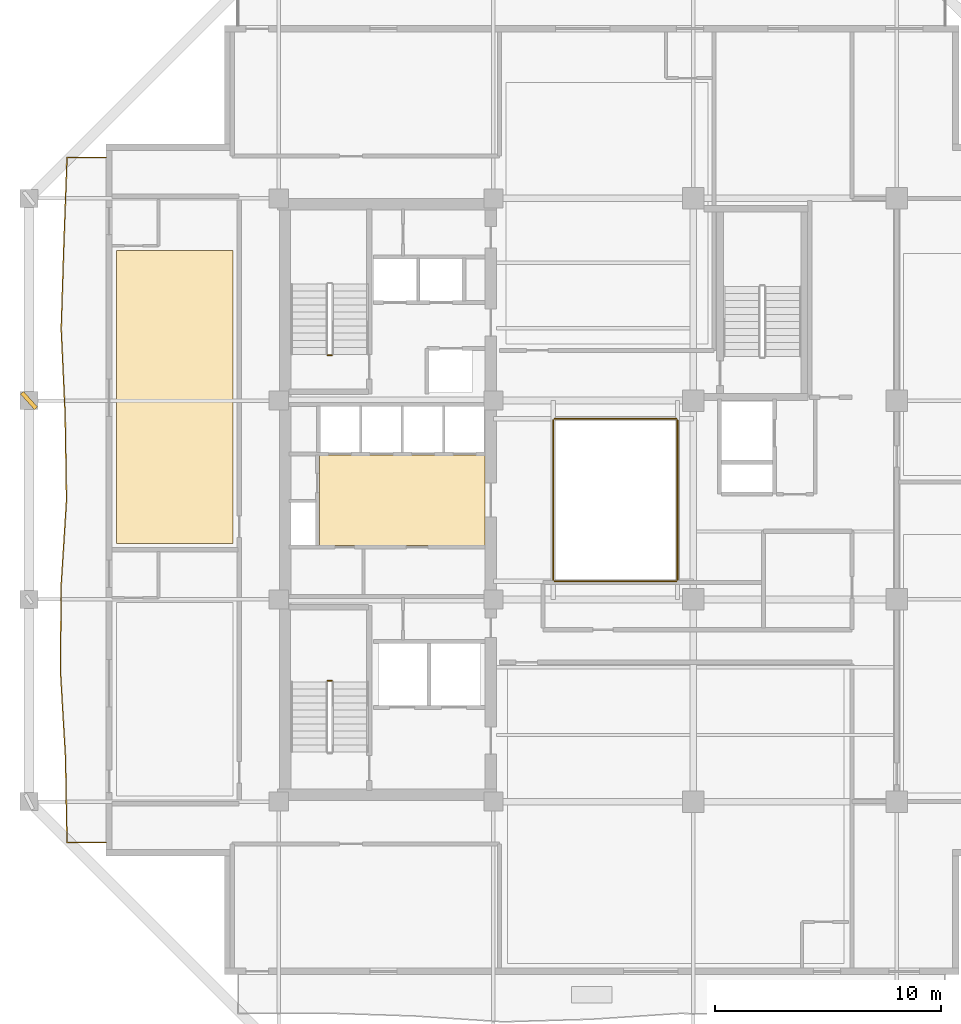
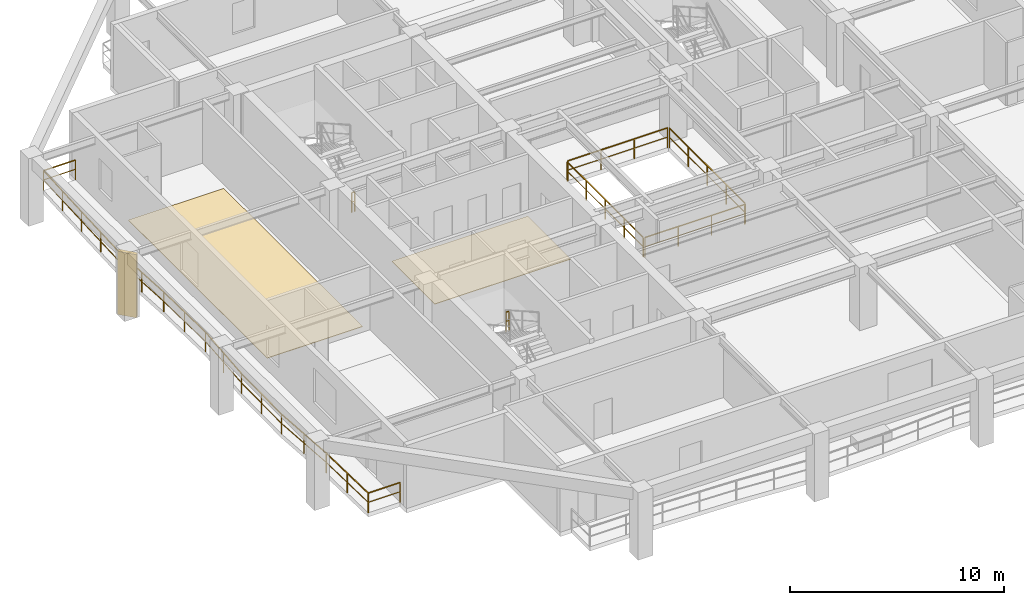
# One storey, part 9 of 12: 7 railings, 2 coverings, 1 shading device.
"""IFC4 building model written with IfcOpenShell, lengths in metres."""

from ifc_helpers import new_model, si_unit, direction, frame, origin, origin_2d, place, context, subcontext, project, spatial, polyline, rectangle, outline, extrude, material, layer, layer_set, type_object, element, save


model = new_model("IFC4")

# Units and contexts
model_context = context("Model", 3, precision=1e-05, world=origin(), true_north=direction((0.0, 1.0)))
body_context = subcontext(model_context, "Body", "Model", "MODEL_VIEW")
ifc_project = project(units=[si_unit("LENGTHUNIT", "METRE"), si_unit("AREAUNIT", "SQUARE_METRE"), si_unit("VOLUMEUNIT", "CUBIC_METRE"), si_unit("PLANEANGLEUNIT", "RADIAN"), si_unit("MASSUNIT", "GRAM", prefix="KILO")], contexts=[model_context])

# Site, building, storey
site_placement = place(None, origin())
site = spatial("IfcSite", under=ifc_project, at=site_placement, CompositionType="ELEMENT")
building_placement = place(site_placement, origin())
building = spatial("IfcBuilding", under=site, at=building_placement, Name="Kundavana Baori Tower", CompositionType="ELEMENT")
storey_placement = place(building_placement, frame((0.0, 0.0, 157.89990234375)))
storey = spatial("IfcBuildingStorey", under=building, at=storey_placement, Name="L38", CompositionType="ELEMENT", Elevation=157.89990234375)

# Coverings
ifc_material_1 = material(Name="Honed Kota Stone and Terrazzo Flooring", Category="masonry")
ifc_layer = layer(ifc_material_1, 0.030029296875, Name="COV-INT-FLR")
ifc_layer_set = layer_set([ifc_layer], Name="Honed Kota Stone and Terrazzo Flooring")
covering_type = type_object("IfcCoveringType", Name="COV-INT-FLR", PredefinedType="FLOORING", material=ifc_layer_set)
covering_1_placement = place(storey_placement, origin())
element("IfcCovering", 1, at=covering_1_placement, inside=storey, type_object=covering_type, Name="L38 Room Finished Stone Flooring 2", PredefinedType="FLOORING", context=body_context, shape_type="SweptSolid", body=[
    extrude(outline(polyline([(8.280029296875, 26.679931640625), (13.419921875, 26.679931640625), (13.419921875, 39.64990234375), (8.280029296875, 39.64990234375), (8.280029296875, 26.679931640625)])), origin(), (0.0, 0.0, 1.0), 0.030029296875),
])
covering_2_placement = place(storey_placement, origin())
element("IfcCovering", 2, at=covering_2_placement, inside=storey, type_object=covering_type, Name="L38 Core Lift Lobby Kota Stone Flooring", PredefinedType="FLOORING", context=body_context, shape_type="SweptSolid", body=[
    extrude(outline(polyline([(17.25, 26.580078125), (24.580078125, 26.580078125), (24.580078125, 30.60009765625), (17.25, 30.60009765625), (17.25, 26.580078125)])), origin(), (0.0, 0.0, 1.0), 0.030029296875),
])

# Railings
ifc_material_2 = material(Name="Architectural Patinated Bronze Metalwork")
railing_type_1 = type_object("IfcRailingType", Name="RL-BAL-1150", PredefinedType="BALUSTRADE", material=ifc_material_2)
railing_1_placement = place(storey_placement, frame((7.800048828125, 13.449951171875, 0.0)))
element("IfcRailing", 3, at=railing_1_placement, inside=storey, type_object=railing_type_1, Name="L38 Loggia Balcony Balustrade W", PredefinedType="BALUSTRADE", context=body_context, shape_type="SweptSolid", body=[
    extrude(rectangle(XDim=0.048095703125, YDim=0.048095703125, at=origin_2d()), frame((0.0, 0.0, 1.1259765625), z_axis=(-1.0, 0.0, 0.0), x_axis=(0.0, -1.0, 0.0)), (0.0, 0.0, 1.0), 1.719970703125),
    extrude(rectangle(XDim=0.03125, YDim=0.03125, at=origin_2d()), frame((0.0, 0.0, 0.597900390625), z_axis=(-1.0, 0.0, 0.0), x_axis=(0.0, -1.0, 0.0)), (0.0, 0.0, 1.0), 1.719970703125),
    extrude(rectangle(XDim=0.048095703125, YDim=0.048095703125, at=origin_2d()), frame((-1.719970703125, 0.0, 1.1259765625), z_axis=(-0.018751536142, 0.999824174489, 0.0), x_axis=(-0.999824174489, -0.018751536142, 0.0)), (0.0, 0.0, 1.0), 3.788818359375),
    extrude(rectangle(XDim=0.03125, YDim=0.03125, at=origin_2d()), frame((-1.719970703125, 0.0, 0.597900390625), z_axis=(-0.018751536142, 0.999824174489, 0.0), x_axis=(-0.999824174489, -0.018751536142, 0.0)), (0.0, 0.0, 1.0), 3.788818359375),
    extrude(rectangle(XDim=0.048095703125, YDim=0.048095703125, at=origin_2d()), frame((-1.791015625, 3.7880859375, 1.1259765625), z_axis=(-0.058503196703, 0.998287221182, 0.0), x_axis=(-0.998287221182, -0.058503196703, 0.0)), (0.0, 0.0, 1.0), 3.79345703125),
    extrude(rectangle(XDim=0.03125, YDim=0.03125, at=origin_2d()), frame((-1.791015625, 3.7880859375, 0.597900390625), z_axis=(-0.058503196703, 0.998287221182, 0.0), x_axis=(-0.998287221182, -0.058503196703, 0.0)), (0.0, 0.0, 1.0), 3.79345703125),
    extrude(rectangle(XDim=0.048095703125, YDim=0.048095703125, at=origin_2d()), frame((-2.012939453125, 7.574951171875, 1.1259765625), z_axis=(0.00818693552, 0.999966486482, 0.0), x_axis=(-0.999966486482, 0.00818693552, 0.0)), (0.0, 0.0, 1.0), 3.787353515625),
    extrude(rectangle(XDim=0.03125, YDim=0.03125, at=origin_2d()), frame((-2.012939453125, 7.574951171875, 0.597900390625), z_axis=(0.00818693552, 0.999966486482, 0.0), x_axis=(-0.999966486482, 0.00818693552, 0.0)), (0.0, 0.0, 1.0), 3.787353515625),
    extrude(rectangle(XDim=0.048095703125, YDim=0.048095703125, at=origin_2d()), frame((-1.98193359375, 11.362060546875, 1.1259765625), z_axis=(0.062650592836, 0.998035522022, 0.0), x_axis=(-0.998035522022, 0.062650592836, 0.0)), (0.0, 0.0, 1.0), 3.795654296875),
    extrude(rectangle(XDim=0.03125, YDim=0.03125, at=origin_2d()), frame((-1.98193359375, 11.362060546875, 0.597900390625), z_axis=(0.062650592836, 0.998035522022, 0.0), x_axis=(-0.998035522022, 0.062650592836, 0.0)), (0.0, 0.0, 1.0), 3.795654296875),
    extrude(rectangle(XDim=0.048095703125, YDim=0.048095703125, at=origin_2d()), frame((-1.744140625, 15.150146484375, 1.1259765625), z_axis=(-0.016046918385, 0.999871239916, 0.0), x_axis=(-0.999871239916, -0.016046918385, 0.0)), (0.0, 0.0, 1.0), 3.788330078125),
    extrude(rectangle(XDim=0.03125, YDim=0.03125, at=origin_2d()), frame((-1.744140625, 15.150146484375, 0.597900390625), z_axis=(-0.016046918385, 0.999871239916, 0.0), x_axis=(-0.999871239916, -0.016046918385, 0.0)), (0.0, 0.0, 1.0), 3.788330078125),
    extrude(rectangle(XDim=0.048095703125, YDim=0.048095703125, at=origin_2d()), frame((-1.804931640625, 18.93798828125, 1.1259765625), z_axis=(-0.046172981575, 0.998933459132, 0.0), x_axis=(-0.998933459132, -0.046172981575, 0.0)), (0.0, 0.0, 1.0), 3.791259765625),
    extrude(rectangle(XDim=0.03125, YDim=0.03125, at=origin_2d()), frame((-1.804931640625, 18.93798828125, 0.597900390625), z_axis=(-0.046172981575, 0.998933459132, 0.0), x_axis=(-0.998933459132, -0.046172981575, 0.0)), (0.0, 0.0, 1.0), 3.791259765625),
    extrude(rectangle(XDim=0.048095703125, YDim=0.048095703125, at=origin_2d()), frame((-1.97998046875, 22.72509765625, 1.1259765625), z_axis=(0.031639106753, 0.999499358141, 0.0), x_axis=(-0.999499358141, 0.031639106753, 0.0)), (0.0, 0.0, 1.0), 3.788818359375),
    extrude(rectangle(XDim=0.03125, YDim=0.03125, at=origin_2d()), frame((-1.97998046875, 22.72509765625, 0.597900390625), z_axis=(0.031639106753, 0.999499358141, 0.0), x_axis=(-0.999499358141, 0.031639106753, 0.0)), (0.0, 0.0, 1.0), 3.788818359375),
    extrude(rectangle(XDim=0.048095703125, YDim=0.048095703125, at=origin_2d()), frame((-1.860107421875, 26.511962890625, 1.1259765625), z_axis=(0.036968782264, 0.999316420929, 0.0), x_axis=(-0.999316420929, 0.036968782264, 0.0)), (0.0, 0.0, 1.0), 3.790771484375),
    extrude(rectangle(XDim=0.03125, YDim=0.03125, at=origin_2d()), frame((-1.860107421875, 26.511962890625, 0.597900390625), z_axis=(0.036968782264, 0.999316420929, 0.0), x_axis=(-0.999316420929, 0.036968782264, 0.0)), (0.0, 0.0, 1.0), 3.790771484375),
    extrude(rectangle(XDim=0.048095703125, YDim=0.048095703125, at=origin_2d()), frame((-1.719970703125, 30.300048828125, 1.1259765625), z_axis=(1.0, 0.0, 0.0), x_axis=(0.0, 1.0, 0.0)), (0.0, 0.0, 1.0), 1.719970703125),
    extrude(rectangle(XDim=0.03125, YDim=0.03125, at=origin_2d()), frame((-1.719970703125, 30.300048828125, 0.597900390625), z_axis=(1.0, 0.0, 0.0), x_axis=(0.0, 1.0, 0.0)), (0.0, 0.0, 1.0), 1.719970703125),
    extrude(rectangle(XDim=0.0419921875, YDim=0.0419921875, at=origin_2d()), origin(), (0.0, 0.0, 1.0), 1.101806640625),
    extrude(rectangle(XDim=0.0419921875, YDim=0.0419921875, at=origin_2d()), frame((-1.719970703125, 0.0, 0.0)), (0.0, 0.0, 1.0), 1.101806640625),
    extrude(rectangle(XDim=0.0419921875, YDim=0.0419921875, at=origin_2d()), frame((-1.75537109375, 1.89404296875, 0.0)), (0.0, 0.0, 1.0), 1.101806640625),
    extrude(rectangle(XDim=0.0419921875, YDim=0.0419921875, at=origin_2d()), frame((-1.791015625, 3.7880859375, 0.0)), (0.0, 0.0, 1.0), 1.101806640625),
    extrude(rectangle(XDim=0.0419921875, YDim=0.0419921875, at=origin_2d()), frame((-1.90185546875, 5.681640625, 0.0)), (0.0, 0.0, 1.0), 1.101806640625),
    extrude(rectangle(XDim=0.0419921875, YDim=0.0419921875, at=origin_2d()), frame((-2.012939453125, 7.574951171875, 0.0)), (0.0, 0.0, 1.0), 1.101806640625),
    extrude(rectangle(XDim=0.0419921875, YDim=0.0419921875, at=origin_2d()), frame((-1.99755859375, 9.468505859375, 0.0)), (0.0, 0.0, 1.0), 1.101806640625),
    extrude(rectangle(XDim=0.0419921875, YDim=0.0419921875, at=origin_2d()), frame((-1.98193359375, 11.362060546875, 0.0)), (0.0, 0.0, 1.0), 1.101806640625),
    extrude(rectangle(XDim=0.0419921875, YDim=0.0419921875, at=origin_2d()), frame((-1.863037109375, 13.256103515625, 0.0)), (0.0, 0.0, 1.0), 1.101806640625),
    extrude(rectangle(XDim=0.0419921875, YDim=0.0419921875, at=origin_2d()), frame((-1.744140625, 15.150146484375, 0.0)), (0.0, 0.0, 1.0), 1.101806640625),
    extrude(rectangle(XDim=0.0419921875, YDim=0.0419921875, at=origin_2d()), frame((-1.7744140625, 17.0439453125, 0.0)), (0.0, 0.0, 1.0), 1.101806640625),
    extrude(rectangle(XDim=0.0419921875, YDim=0.0419921875, at=origin_2d()), frame((-1.804931640625, 18.93798828125, 0.0)), (0.0, 0.0, 1.0), 1.101806640625),
    extrude(rectangle(XDim=0.0419921875, YDim=0.0419921875, at=origin_2d()), frame((-1.892578125, 20.83154296875, 0.0)), (0.0, 0.0, 1.0), 1.101806640625),
    extrude(rectangle(XDim=0.0419921875, YDim=0.0419921875, at=origin_2d()), frame((-1.97998046875, 22.72509765625, 0.0)), (0.0, 0.0, 1.0), 1.101806640625),
    extrude(rectangle(XDim=0.0419921875, YDim=0.0419921875, at=origin_2d()), frame((-1.919921875, 24.61865234375, 0.0)), (0.0, 0.0, 1.0), 1.101806640625),
    extrude(rectangle(XDim=0.0419921875, YDim=0.0419921875, at=origin_2d()), frame((-1.860107421875, 26.511962890625, 0.0)), (0.0, 0.0, 1.0), 1.101806640625),
    extrude(rectangle(XDim=0.0419921875, YDim=0.0419921875, at=origin_2d()), frame((-1.7900390625, 28.406005859375, 0.0)), (0.0, 0.0, 1.0), 1.101806640625),
    extrude(rectangle(XDim=0.0419921875, YDim=0.0419921875, at=origin_2d()), frame((-1.719970703125, 30.300048828125, 0.0)), (0.0, 0.0, 1.0), 1.101806640625),
    extrude(rectangle(XDim=0.0419921875, YDim=0.0419921875, at=origin_2d()), frame((0.0, 30.300048828125, 0.0)), (0.0, 0.0, 1.0), 1.101806640625),
])
ifc_material_3 = material(Name="Architectural Patinated Bronze Metalwork")
railing_type_2 = type_object("IfcRailingType", Name="RL-GRD-1150", PredefinedType="GUARDRAIL", material=ifc_material_3)
for number, where, name in (
    (4, (17.7900390625, 20.60009765625, 1.925048828125), "L38 ST1 stair guard 2"),
    (5, (17.7900390625, 35.0, 0.0), "L38 ST2 stair guard 4"),
):
    element("IfcRailing", number, at=place(storey_placement, frame(where)), inside=storey, type_object=railing_type_2, Name=name, PredefinedType="GUARDRAIL", context=body_context, shape_type="SweptSolid", body=[
        extrude(rectangle(XDim=0.048095703125, YDim=0.048095703125, at=origin_2d()), frame((0.0, 0.0, 1.1259765625), z_axis=(-1.0, 0.0, 0.0), x_axis=(0.0, -1.0, 0.0)), (0.0, 0.0, 1.0), 0.16015625),
        extrude(rectangle(XDim=0.03125, YDim=0.03125, at=origin_2d()), frame((0.0, 0.0, 0.597900390625), z_axis=(-1.0, 0.0, 0.0), x_axis=(0.0, -1.0, 0.0)), (0.0, 0.0, 1.0), 0.16015625),
        extrude(rectangle(XDim=0.0419921875, YDim=0.0419921875, at=origin_2d()), origin(), (0.0, 0.0, 1.0), 1.101806640625),
        extrude(rectangle(XDim=0.0419921875, YDim=0.0419921875, at=origin_2d()), frame((-0.16015625, 0.0, 0.0)), (0.0, 0.0, 1.0), 1.101806640625),
    ])
railing_2_placement = place(storey_placement, frame((27.659912109375, 25.0, 0.0)))
element("IfcRailing", 6, at=railing_2_placement, inside=storey, type_object=railing_type_2, Name="L38 Atrium Void Perimeter Guardrail S", PredefinedType="GUARDRAIL", context=body_context, shape_type="SweptSolid", body=[
    extrude(rectangle(XDim=0.048095703125, YDim=0.048095703125, at=origin_2d()), frame((0.0, 0.0, 1.1259765625), z_axis=(1.0, 0.0, 0.0), x_axis=(0.0, 1.0, 0.0)), (0.0, 0.0, 1.0), 5.380126953125),
    extrude(rectangle(XDim=0.03125, YDim=0.03125, at=origin_2d()), frame((0.0, 0.0, 0.597900390625), z_axis=(1.0, 0.0, 0.0), x_axis=(0.0, 1.0, 0.0)), (0.0, 0.0, 1.0), 5.380126953125),
    extrude(rectangle(XDim=0.0419921875, YDim=0.0419921875, at=origin_2d()), origin(), (0.0, 0.0, 1.0), 1.101806640625),
    extrude(rectangle(XDim=0.0419921875, YDim=0.0419921875, at=origin_2d()), frame((1.79345703125, 0.0, 0.0)), (0.0, 0.0, 1.0), 1.101806640625),
    extrude(rectangle(XDim=0.0419921875, YDim=0.0419921875, at=origin_2d()), frame((3.586669921875, 0.0, 0.0)), (0.0, 0.0, 1.0), 1.101806640625),
    extrude(rectangle(XDim=0.0419921875, YDim=0.0419921875, at=origin_2d()), frame((5.380126953125, 0.0, 0.0)), (0.0, 0.0, 1.0), 1.101806640625),
])
railing_3_placement = place(storey_placement, frame((33.10009765625, 25.06005859375, 0.0)))
element("IfcRailing", 7, at=railing_3_placement, inside=storey, type_object=railing_type_2, Name="L38 Atrium Void Perimeter Guardrail E", PredefinedType="GUARDRAIL", context=body_context, shape_type="SweptSolid", body=[
    extrude(rectangle(XDim=0.048095703125, YDim=0.048095703125, at=origin_2d()), frame((0.0, 0.0, 1.1259765625), z_axis=(0.0, 1.0, 0.0), x_axis=(-1.0, 0.0, 0.0)), (0.0, 0.0, 1.0), 7.079833984375),
    extrude(rectangle(XDim=0.03125, YDim=0.03125, at=origin_2d()), frame((0.0, 0.0, 0.597900390625), z_axis=(0.0, 1.0, 0.0), x_axis=(-1.0, 0.0, 0.0)), (0.0, 0.0, 1.0), 7.079833984375),
    extrude(rectangle(XDim=0.0419921875, YDim=0.0419921875, at=origin_2d()), origin(), (0.0, 0.0, 1.0), 1.101806640625),
    extrude(rectangle(XDim=0.0419921875, YDim=0.0419921875, at=origin_2d()), frame((0.0, 1.77001953125, 0.0)), (0.0, 0.0, 1.0), 1.101806640625),
    extrude(rectangle(XDim=0.0419921875, YDim=0.0419921875, at=origin_2d()), frame((0.0, 3.5400390625, 0.0)), (0.0, 0.0, 1.0), 1.101806640625),
    extrude(rectangle(XDim=0.0419921875, YDim=0.0419921875, at=origin_2d()), frame((0.0, 5.309814453125, 0.0)), (0.0, 0.0, 1.0), 1.101806640625),
    extrude(rectangle(XDim=0.0419921875, YDim=0.0419921875, at=origin_2d()), frame((0.0, 7.079833984375, 0.0)), (0.0, 0.0, 1.0), 1.101806640625),
])
railing_4_placement = place(storey_placement, frame((33.0400390625, 32.199951171875, 0.0)))
element("IfcRailing", 8, at=railing_4_placement, inside=storey, type_object=railing_type_2, Name="L38 Atrium Void Perimeter Guardrail N", PredefinedType="GUARDRAIL", context=body_context, shape_type="SweptSolid", body=[
    extrude(rectangle(XDim=0.048095703125, YDim=0.048095703125, at=origin_2d()), frame((0.0, 0.0, 1.1259765625), z_axis=(-1.0, 0.0, 0.0), x_axis=(0.0, -1.0, 0.0)), (0.0, 0.0, 1.0), 5.380126953125),
    extrude(rectangle(XDim=0.03125, YDim=0.03125, at=origin_2d()), frame((0.0, 0.0, 0.597900390625), z_axis=(-1.0, 0.0, 0.0), x_axis=(0.0, -1.0, 0.0)), (0.0, 0.0, 1.0), 5.380126953125),
    extrude(rectangle(XDim=0.0419921875, YDim=0.0419921875, at=origin_2d()), origin(), (0.0, 0.0, 1.0), 1.101806640625),
    extrude(rectangle(XDim=0.0419921875, YDim=0.0419921875, at=origin_2d()), frame((-1.79345703125, 0.0, 0.0)), (0.0, 0.0, 1.0), 1.101806640625),
    extrude(rectangle(XDim=0.0419921875, YDim=0.0419921875, at=origin_2d()), frame((-3.586669921875, 0.0, 0.0)), (0.0, 0.0, 1.0), 1.101806640625),
    extrude(rectangle(XDim=0.0419921875, YDim=0.0419921875, at=origin_2d()), frame((-5.380126953125, 0.0, 0.0)), (0.0, 0.0, 1.0), 1.101806640625),
])
railing_5_placement = place(storey_placement, frame((27.60009765625, 32.139892578125, 0.0)))
element("IfcRailing", 9, at=railing_5_placement, inside=storey, type_object=railing_type_2, Name="L38 Atrium Void Perimeter Guardrail W", PredefinedType="GUARDRAIL", context=body_context, shape_type="SweptSolid", body=[
    extrude(rectangle(XDim=0.048095703125, YDim=0.048095703125, at=origin_2d()), frame((0.0, 0.0, 1.1259765625), z_axis=(0.0, -1.0, 0.0), x_axis=(1.0, 0.0, 0.0)), (0.0, 0.0, 1.0), 7.079833984375),
    extrude(rectangle(XDim=0.03125, YDim=0.03125, at=origin_2d()), frame((0.0, 0.0, 0.597900390625), z_axis=(0.0, -1.0, 0.0), x_axis=(1.0, 0.0, 0.0)), (0.0, 0.0, 1.0), 7.079833984375),
    extrude(rectangle(XDim=0.0419921875, YDim=0.0419921875, at=origin_2d()), origin(), (0.0, 0.0, 1.0), 1.101806640625),
    extrude(rectangle(XDim=0.0419921875, YDim=0.0419921875, at=origin_2d()), frame((0.0, -1.77001953125, 0.0)), (0.0, 0.0, 1.0), 1.101806640625),
    extrude(rectangle(XDim=0.0419921875, YDim=0.0419921875, at=origin_2d()), frame((0.0, -3.5400390625, 0.0)), (0.0, 0.0, 1.0), 1.101806640625),
    extrude(rectangle(XDim=0.0419921875, YDim=0.0419921875, at=origin_2d()), frame((0.0, -5.309814453125, 0.0)), (0.0, 0.0, 1.0), 1.101806640625),
    extrude(rectangle(XDim=0.0419921875, YDim=0.0419921875, at=origin_2d()), frame((0.0, -7.079833984375, 0.0)), (0.0, 0.0, 1.0), 1.101806640625),
])

# Shading device
ifc_material_4 = material(Name="Red-Buff Dholpur Sandstone Cladding on Concrete C40/50", Category="masonry")
shading_device_type = type_object("IfcShadingDeviceType", Name="SHD-FIN-920", PredefinedType="JALOUSIE", material=ifc_material_4)
shading_device_placement = place(storey_placement, frame((4.39990234375, 33.0, 0.0), z_axis=(0.0, 0.0, 1.0), x_axis=(0.74396176791, 0.668222184522, 0.0)))
element("IfcShadingDevice", 10, at=shading_device_placement, inside=storey, type_object=shading_device_type, Name="L38 Sweeping Dholpur Sandstone Facade Fin 7", PredefinedType="JALOUSIE", context=body_context, shape_type="SweptSolid", body=[
    extrude(rectangle(XDim=0.179931640625, YDim=0.919921875, at=origin_2d()), origin(), (0.0, 0.0, 1.0), 3.60009765625),
])

save(model, "model.ifc")
